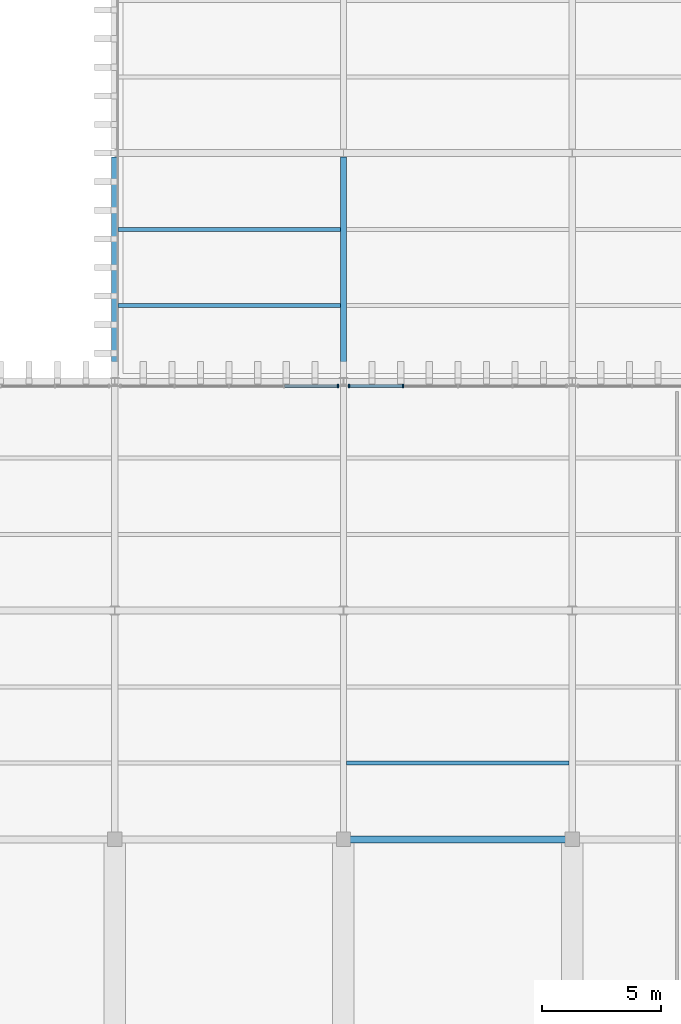
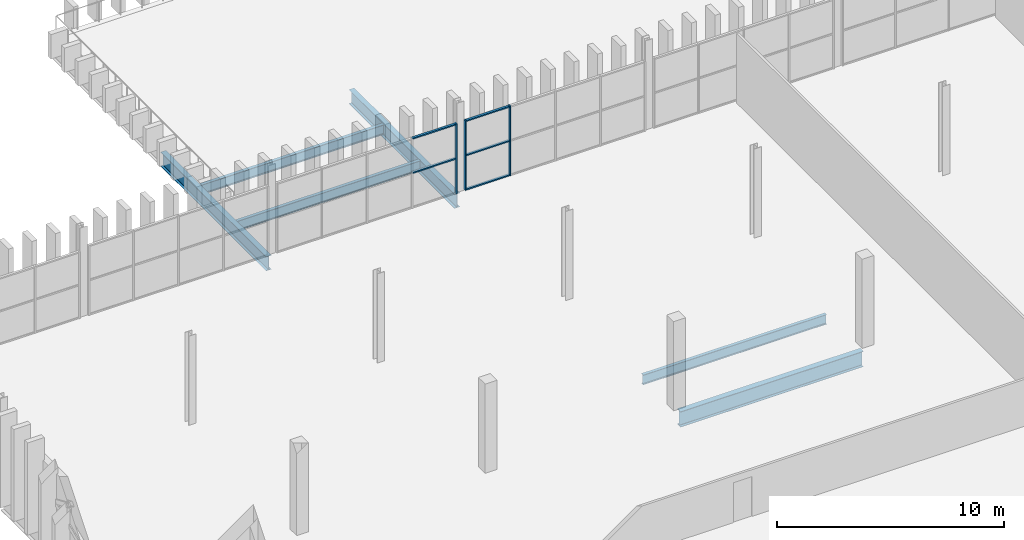
# One storey, part 26 of 99: 8 members, 6 beams, 2 elements without a shape of their own.
"""IFC4 building model written with IfcOpenShell, lengths in metres."""

from ifc_helpers import new_model, si_unit, direction, frame, origin, origin_2d, place, context, subcontext, project, spatial, rectangle, i_section, extrude, material, layer, layer_set, material_profile, profile_set, type_object, element, aggregate, save


model = new_model("IFC4")

# Units and contexts
model_context = context("Model", 3, precision=1e-05, world=origin(), true_north=direction((0.0, 1.0)))
body_context = subcontext(model_context, "Body", "Model", "MODEL_VIEW")
ifc_project = project(units=[si_unit("LENGTHUNIT", "METRE"), si_unit("AREAUNIT", "SQUARE_METRE"), si_unit("VOLUMEUNIT", "CUBIC_METRE"), si_unit("PLANEANGLEUNIT", "RADIAN"), si_unit("MASSUNIT", "GRAM", prefix="KILO")], contexts=[model_context])

# Site, building, storey
site_placement = place(None, origin())
site = spatial("IfcSite", under=ifc_project, at=site_placement, CompositionType="ELEMENT")
building_placement = place(site_placement, origin())
building = spatial("IfcBuilding", under=site, at=building_placement, Name="Caelomonte Colonnade Arena", CompositionType="ELEMENT")
storey_placement = place(building_placement, frame((0.0, 0.0, 4.800048828125)))
storey = spatial("IfcBuildingStorey", under=building, at=storey_placement, Name="L01", CompositionType="ELEMENT", Elevation=4.800048828125)

# Curtain wall, members
ifc_material_1 = material(Name="Bronze anodised aluminium and low-E glazing", Category="aluminium")
ifc_layer = layer(ifc_material_1, 0.179931640625)
ifc_layer_set = layer_set([ifc_layer], Name="Bronze anodised aluminium and low-E glazing")
curtain_wall_type = type_object("IfcCurtainWallType", Name="ENV-CW-CW-L01-96-38", PredefinedType="USERDEFINED", material=ifc_layer_set)
curtain_wall_1_placement = place(storey_placement, origin())
curtain_wall_1 = element("IfcCurtainWall", 1, at=curtain_wall_1_placement, inside=storey, type_object=curtain_wall_type, Name="L01 unitized curtain wall CW-L01-0336-0862", ObjectType="UNITIZED CURTAIN WALL", PredefinedType="USERDEFINED")
ifc_material_2 = material(Name="Bronze anodised aluminium AA6063-T6", Category="aluminium")
ifc_material_profile_1 = material_profile(ifc_material_2, rectangle(XDim=0.06494140625, YDim=0.14990234375, at=origin_2d()), Name="CWM-65X150")
ifc_profile_set_1 = profile_set([ifc_material_profile_1], Name="Bronze anodised aluminium AA6063-T6")
member_type_1 = type_object("IfcMemberType", Name="ENV-CW-MULL2", PredefinedType="MULLION", material=ifc_profile_set_1)
member_1_placement = place(storey_placement, frame((31.30224609375, 86.219970703125, 0.0), z_axis=(0.0, 0.0, 1.0), x_axis=(-1.0, 0.0, 0.0)))
member_1 = element("IfcMember", 2, at=member_1_placement, type_object=member_type_1, Name="CW-L01-96-38 mullion 4", PredefinedType="MULLION", context=body_context, shape_type="SweptSolid", body=[
    extrude(rectangle(XDim=0.06494140625, YDim=0.14990234375, at=origin_2d()), origin(), (0.0, 0.0, 1.0), 3.758056640625),
])
member_2_placement = place(storey_placement, frame((29.036865234375, 86.219970703125, 0.0), z_axis=(0.0, 0.0, 1.0), x_axis=(-1.0, 0.0, 0.0)))
member_2 = element("IfcMember", 3, at=member_2_placement, type_object=member_type_1, Name="CW-L01-96-38 mullion 5", PredefinedType="MULLION", context=body_context, shape_type="SweptSolid", body=[
    extrude(rectangle(XDim=0.06494140625, YDim=0.14990234375, at=origin_2d()), origin(), (0.0, 0.0, 1.0), 3.758056640625),
])

# Curtain wall, member
curtain_wall_2_placement = place(storey_placement, origin())
curtain_wall_2 = element("IfcCurtainWall", 4, at=curtain_wall_2_placement, inside=storey, type_object=curtain_wall_type, Name="L01 unitized curtain wall CW-L01-0240-0862", ObjectType="UNITIZED CURTAIN WALL", PredefinedType="USERDEFINED")
member_3_placement = place(storey_placement, frame((28.56298828125, 86.219970703125, 0.0), z_axis=(0.0, 0.0, 1.0), x_axis=(-1.0, 0.0, 0.0)))
member_3 = element("IfcMember", 5, at=member_3_placement, type_object=member_type_1, Name="CW-L01-96-38 mullion 1", PredefinedType="MULLION", context=body_context, shape_type="SweptSolid", body=[
    extrude(rectangle(XDim=0.06494140625, YDim=0.14990234375, at=origin_2d()), origin(), (0.0, 0.0, 1.0), 3.758056640625),
])

# Member
ifc_material_profile_2 = material_profile(ifc_material_2, rectangle(XDim=0.06494140625, YDim=0.1201171875, at=origin_2d()), Name="CWT-65X120")
ifc_profile_set_2 = profile_set([ifc_material_profile_2], Name="Bronze anodised aluminium AA6063-T6")
member_type_2 = type_object("IfcMemberType", Name="ENV-CW-TRAN2", PredefinedType="USERDEFINED", material=ifc_profile_set_2)
member_4_placement = place(storey_placement, frame((31.269775390625, 86.219970703125, 0.032470703125), z_axis=(-1.0, 0.0, 0.0), x_axis=(0.0, 0.0, 1.0)))
member_4 = element("IfcMember", 6, at=member_4_placement, type_object=member_type_2, Name="CW-L01-96-38 transom 4.1", ObjectType="TRANSOM", PredefinedType="USERDEFINED", context=body_context, shape_type="SweptSolid", body=[
    extrude(rectangle(XDim=0.06494140625, YDim=0.1201171875, at=origin_2d()), origin(), (0.0, 0.0, 1.0), 2.200439453125),
])

member_5_placement = place(storey_placement, frame((31.269775390625, 86.219970703125, 1.87890625), z_axis=(-1.0, 0.0, 0.0), x_axis=(0.0, 0.0, 1.0)))
member_5 = element("IfcMember", 7, at=member_5_placement, type_object=member_type_2, Name="CW-L01-96-38 transom 4.2", ObjectType="TRANSOM", PredefinedType="USERDEFINED", context=body_context, shape_type="SweptSolid", body=[
    extrude(rectangle(XDim=0.06494140625, YDim=0.1201171875, at=origin_2d()), origin(), (0.0, 0.0, 1.0), 2.200439453125),
])

member_6_placement = place(storey_placement, frame((31.269775390625, 86.219970703125, 3.725341796875), z_axis=(-1.0, 0.0, 0.0), x_axis=(0.0, 0.0, 1.0)))
member_6 = element("IfcMember", 8, at=member_6_placement, type_object=member_type_2, Name="CW-L01-96-38 transom 4.3", ObjectType="TRANSOM", PredefinedType="USERDEFINED", context=body_context, shape_type="SweptSolid", body=[
    extrude(rectangle(XDim=0.06494140625, YDim=0.1201171875, at=origin_2d()), origin(), (0.0, 0.0, 1.0), 2.200439453125),
])

aggregate(curtain_wall_1, [member_1, member_2, member_4, member_5, member_6])

member_7_placement = place(storey_placement, frame((28.530517578125, 86.219970703125, 1.87890625), z_axis=(-1.0, 0.0, 0.0), x_axis=(0.0, 0.0, 1.0)))
member_7 = element("IfcMember", 9, at=member_7_placement, type_object=member_type_2, Name="CW-L01-96-38 transom 1.2", ObjectType="TRANSOM", PredefinedType="USERDEFINED", context=body_context, shape_type="SweptSolid", body=[
    extrude(rectangle(XDim=0.06494140625, YDim=0.1201171875, at=origin_2d()), origin(), (0.0, 0.0, 1.0), 2.2001953125),
])

member_8_placement = place(storey_placement, frame((28.530517578125, 86.219970703125, 3.725341796875), z_axis=(-1.0, 0.0, 0.0), x_axis=(0.0, 0.0, 1.0)))
member_8 = element("IfcMember", 10, at=member_8_placement, type_object=member_type_2, Name="CW-L01-96-38 transom 1.3", ObjectType="TRANSOM", PredefinedType="USERDEFINED", context=body_context, shape_type="SweptSolid", body=[
    extrude(rectangle(XDim=0.06494140625, YDim=0.1201171875, at=origin_2d()), origin(), (0.0, 0.0, 1.0), 2.2001953125),
])

aggregate(curtain_wall_2, [member_3, member_7, member_8])

# Beams
ifc_material_3 = material(Name="Wide-flange steel ASTM A992 Grade 50", Category="steel")
ifc_material_profile_3 = material_profile(ifc_material_3, i_section(OverallWidth=0.2666015625, OverallDepth=0.761962890625, WebThickness=0.014404296875, FlangeThickness=0.021484375, FilletRadius=0.0166015625, at=origin_2d()), Name="W30X116")
ifc_profile_set_3 = profile_set([ifc_material_profile_3], Name="Wide-flange steel ASTM A992 Grade 50")
beam_type_1 = type_object("IfcBeamType", Name="STR-BM-GIRD30", PredefinedType="BEAM", material=ifc_profile_set_3)
for number, where, z_axis, x_axis, name in (
    (11, (19.199951171875, 86.51904296875, -0.68115234375), (0.0, 1.0, 0.0), (-1.0, 0.0, 0.0), "L01 girder BMY-L01-0192-0864"),
    (12, (28.800048828125, 86.51904296875, -0.68115234375), (0.0, 1.0, 0.0), (-1.0, 0.0, 0.0), "L01 girder BMY-L01-0288-0864"),
):
    element("IfcBeam", number, at=place(storey_placement, frame(where, z_axis=z_axis, x_axis=x_axis)), inside=storey, type_object=beam_type_1, Name=name, PredefinedType="BEAM", context=body_context, shape_type="SweptSolid", body=[
        extrude(i_section(OverallWidth=0.2666015625, OverallDepth=0.761962890625, WebThickness=0.014404296875, FlangeThickness=0.021484375, FilletRadius=0.0166015625, at=origin_2d()), origin(), (0.0, 0.0, 1.0), 9.310791015625),
    ])
ifc_material_profile_4 = material_profile(ifc_material_3, i_section(OverallWidth=0.2919921875, OverallDepth=0.835693359375, WebThickness=0.013916015625, FlangeThickness=0.018798828125, FilletRadius=0.017822265625, at=origin_2d()), Name="W33X118")
ifc_profile_set_4 = profile_set([ifc_material_profile_4], Name="Wide-flange steel ASTM A992 Grade 50")
beam_type_2 = type_object("IfcBeamType", Name="STR-BM-GIRD33B", PredefinedType="BEAM", material=ifc_profile_set_4)
beam_placement = place(storey_placement, frame((28.9443359375, 67.199951171875, -0.7177734375), z_axis=(1.0, 0.0, 0.0), x_axis=(0.0, 1.0, 0.0)))
element("IfcBeam", 13, at=beam_placement, inside=storey, type_object=beam_type_2, Name="L01 girder BMX-L01-0288-0672", PredefinedType="BEAM", context=body_context, shape_type="SweptSolid", body=[
    extrude(i_section(OverallWidth=0.2919921875, OverallDepth=0.835693359375, WebThickness=0.013916015625, FlangeThickness=0.018798828125, FilletRadius=0.017822265625, at=origin_2d()), origin(), (0.0, 0.0, 1.0), 9.311279296875),
])
ifc_material_profile_5 = material_profile(ifc_material_3, i_section(OverallWidth=0.166015625, OverallDepth=0.5283203125, WebThickness=0.009765625, FlangeThickness=0.013671875, FilletRadius=0.0126953125, at=origin_2d()), Name="W21X50")
ifc_profile_set_5 = profile_set([ifc_material_profile_5], Name="Wide-flange steel ASTM A992 Grade 50")
beam_type_3 = type_object("IfcBeamType", Name="STR-BM-JOIST21B", PredefinedType="JOIST", material=ifc_profile_set_5)
for number, where, z_axis, x_axis, name in (
    (14, (19.328369140625, 89.60009765625, -0.564208984375), (1.0, 0.0, 0.0), (0.0, 1.0, 0.0), "L01 secondary joist 1"),
    (15, (19.328369140625, 92.800048828125, -0.564208984375), (1.0, 0.0, 0.0), (0.0, 1.0, 0.0), "L01 secondary joist 2"),
    (16, (28.928466796875, 70.39990234375, -0.564208984375), (1.0, 0.0, 0.0), (0.0, 1.0, 0.0), "L01 secondary joist 1"),
):
    element("IfcBeam", number, at=place(storey_placement, frame(where, z_axis=z_axis, x_axis=x_axis)), inside=storey, type_object=beam_type_3, Name=name, PredefinedType="JOIST", context=body_context, shape_type="SweptSolid", body=[
        extrude(i_section(OverallWidth=0.166015625, OverallDepth=0.5283203125, WebThickness=0.009765625, FlangeThickness=0.013671875, FilletRadius=0.0126953125, at=origin_2d()), origin(), (0.0, 0.0, 1.0), 9.34326171875),
    ])

save(model, "model.ifc")
